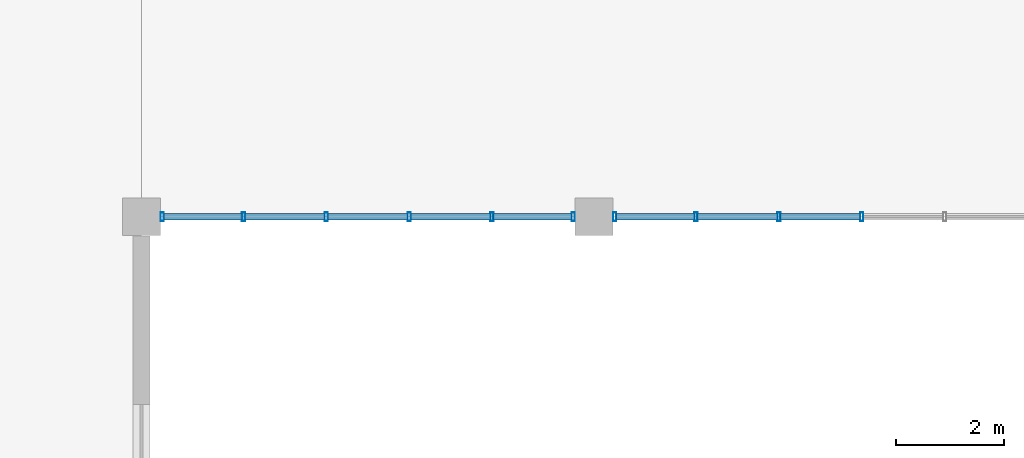
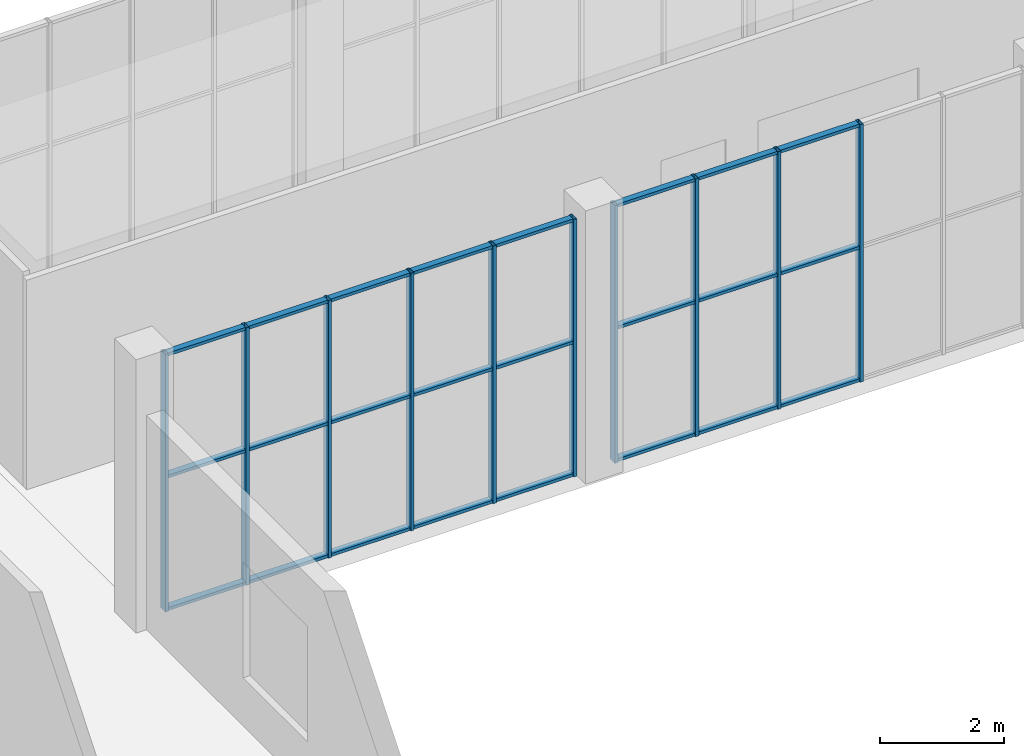
# One storey, part 37 of 91: 34 members, 2 elements without a shape of their own.
"""IFC4 building model written with IfcOpenShell, lengths in metres."""

from ifc_helpers import new_model, si_unit, direction, frame, origin, origin_2d, place, context, subcontext, project, spatial, hollow_rectangle, extrude, material, material_profile, profile_set, type_object, element, aggregate, save


model = new_model("IFC4")

# Units and contexts
model_context = context("Model", 3, precision=1e-05, world=origin(), true_north=direction((0.0, 1.0)))
body_context = subcontext(model_context, "Body", "Model", "MODEL_VIEW")
ifc_project = project(units=[si_unit("LENGTHUNIT", "METRE"), si_unit("AREAUNIT", "SQUARE_METRE"), si_unit("VOLUMEUNIT", "CUBIC_METRE"), si_unit("PLANEANGLEUNIT", "RADIAN"), si_unit("MASSUNIT", "GRAM", prefix="KILO")], contexts=[model_context])

# Site, building, storey
site_placement = place(None, origin())
site = spatial("IfcSite", under=ifc_project, at=site_placement, CompositionType="ELEMENT")
building_placement = place(site_placement, origin())
building = spatial("IfcBuilding", under=site, at=building_placement, Name="Khurvash Pelagic Aquarium", CompositionType="ELEMENT")
storey_placement = place(building_placement, origin())
storey = spatial("IfcBuildingStorey", under=building, at=storey_placement, Name="L00", CompositionType="ELEMENT", Elevation=0.0)

# Curtain wall, members
ifc_material_1 = material(Name="Anodised aluminium and low-E laminated glass", Category="aluminium")
curtain_wall_type = type_object("IfcCurtainWallType", Name="CW-02", PredefinedType="USERDEFINED", material=ifc_material_1)
curtain_wall_1_placement = place(storey_placement, origin())
curtain_wall_1 = element("IfcCurtainWall", 1, at=curtain_wall_1_placement, inside=storey, type_object=curtain_wall_type, Name="L00 Facade Unitised Curtain Wall CW-02 0080", ObjectType="UNITISED CURTAIN WALL", PredefinedType="USERDEFINED")
ifc_material_2 = material(Name="Extruded aluminium AW-6063-T6", Category="aluminium")
ifc_material_profile_1 = material_profile(ifc_material_2, hollow_rectangle(XDim=0.06005859375, YDim=0.159912109375, WallThickness=0.00390625, at=origin_2d()), Name="CWM60X160X4")
ifc_profile_set_1 = profile_set([ifc_material_profile_1], Name="Extruded aluminium AW-6063-T6")
member_type_1 = type_object("IfcMemberType", Name="CM-02", PredefinedType="MULLION", material=ifc_profile_set_1)
member_1_placement = place(storey_placement, frame((33.985107421875, 93.10009765625, 0.0), z_axis=(0.0, 0.0, 1.0), x_axis=(1.0, 0.0, 0.0)))
member_1 = element("IfcMember", 2, at=member_1_placement, type_object=member_type_1, Name="CW-02 mullion 1", PredefinedType="MULLION", context=body_context, shape_type="SweptSolid", body=[
    extrude(hollow_rectangle(XDim=0.06005859375, YDim=0.159912109375, WallThickness=0.00390625, at=origin_2d()), origin(), (0.0, 0.0, 1.0), 5.090087890625),
])
member_2_placement = place(storey_placement, frame((35.492919921875, 93.10009765625, 0.0), z_axis=(0.0, 0.0, 1.0), x_axis=(1.0, 0.0, 0.0)))
member_2 = element("IfcMember", 3, at=member_2_placement, type_object=member_type_1, Name="CW-02 mullion 2", PredefinedType="MULLION", context=body_context, shape_type="SweptSolid", body=[
    extrude(hollow_rectangle(XDim=0.06005859375, YDim=0.159912109375, WallThickness=0.00390625, at=origin_2d()), origin(), (0.0, 0.0, 1.0), 5.090087890625),
])
member_3_placement = place(storey_placement, frame((37.031005859375, 93.10009765625, 0.0), z_axis=(0.0, 0.0, 1.0), x_axis=(1.0, 0.0, 0.0)))
member_3 = element("IfcMember", 4, at=member_3_placement, type_object=member_type_1, Name="CW-02 mullion 3", PredefinedType="MULLION", context=body_context, shape_type="SweptSolid", body=[
    extrude(hollow_rectangle(XDim=0.06005859375, YDim=0.159912109375, WallThickness=0.00390625, at=origin_2d()), origin(), (0.0, 0.0, 1.0), 5.090087890625),
])
member_4_placement = place(storey_placement, frame((38.569091796875, 93.10009765625, 0.0), z_axis=(0.0, 0.0, 1.0), x_axis=(1.0, 0.0, 0.0)))
member_4 = element("IfcMember", 5, at=member_4_placement, type_object=member_type_1, Name="CW-02 mullion 4", PredefinedType="MULLION", context=body_context, shape_type="SweptSolid", body=[
    extrude(hollow_rectangle(XDim=0.06005859375, YDim=0.159912109375, WallThickness=0.00390625, at=origin_2d()), origin(), (0.0, 0.0, 1.0), 5.090087890625),
])
member_5_placement = place(storey_placement, frame((40.10693359375, 93.10009765625, 0.0), z_axis=(0.0, 0.0, 1.0), x_axis=(1.0, 0.0, 0.0)))
member_5 = element("IfcMember", 6, at=member_5_placement, type_object=member_type_1, Name="CW-02 mullion 5", PredefinedType="MULLION", context=body_context, shape_type="SweptSolid", body=[
    extrude(hollow_rectangle(XDim=0.06005859375, YDim=0.159912109375, WallThickness=0.00390625, at=origin_2d()), origin(), (0.0, 0.0, 1.0), 5.090087890625),
])
member_6_placement = place(storey_placement, frame((41.614990234375, 93.10009765625, 0.0), z_axis=(0.0, 0.0, 1.0), x_axis=(1.0, 0.0, 0.0)))
member_6 = element("IfcMember", 7, at=member_6_placement, type_object=member_type_1, Name="CW-02 mullion 6", PredefinedType="MULLION", context=body_context, shape_type="SweptSolid", body=[
    extrude(hollow_rectangle(XDim=0.06005859375, YDim=0.159912109375, WallThickness=0.00390625, at=origin_2d()), origin(), (0.0, 0.0, 1.0), 5.090087890625),
])

curtain_wall_2_placement = place(storey_placement, origin())
curtain_wall_2 = element("IfcCurtainWall", 8, at=curtain_wall_2_placement, inside=storey, type_object=curtain_wall_type, Name="L00 Facade Unitised Curtain Wall CW-02 0081", ObjectType="UNITISED CURTAIN WALL", PredefinedType="USERDEFINED")
member_7_placement = place(storey_placement, frame((42.385009765625, 93.10009765625, 0.0), z_axis=(0.0, 0.0, 1.0), x_axis=(1.0, 0.0, 0.0)))
member_7 = element("IfcMember", 9, at=member_7_placement, type_object=member_type_1, Name="CW-02 mullion 1", PredefinedType="MULLION", context=body_context, shape_type="SweptSolid", body=[
    extrude(hollow_rectangle(XDim=0.06005859375, YDim=0.159912109375, WallThickness=0.00390625, at=origin_2d()), origin(), (0.0, 0.0, 1.0), 5.090087890625),
])
member_8_placement = place(storey_placement, frame((43.89306640625, 93.10009765625, 0.0), z_axis=(0.0, 0.0, 1.0), x_axis=(1.0, 0.0, 0.0)))
member_8 = element("IfcMember", 10, at=member_8_placement, type_object=member_type_1, Name="CW-02 mullion 2", PredefinedType="MULLION", context=body_context, shape_type="SweptSolid", body=[
    extrude(hollow_rectangle(XDim=0.06005859375, YDim=0.159912109375, WallThickness=0.00390625, at=origin_2d()), origin(), (0.0, 0.0, 1.0), 5.090087890625),
])
member_9_placement = place(storey_placement, frame((45.430908203125, 93.10009765625, 0.0), z_axis=(0.0, 0.0, 1.0), x_axis=(1.0, 0.0, 0.0)))
member_9 = element("IfcMember", 11, at=member_9_placement, type_object=member_type_1, Name="CW-02 mullion 3", PredefinedType="MULLION", context=body_context, shape_type="SweptSolid", body=[
    extrude(hollow_rectangle(XDim=0.06005859375, YDim=0.159912109375, WallThickness=0.00390625, at=origin_2d()), origin(), (0.0, 0.0, 1.0), 5.090087890625),
])
member_10_placement = place(storey_placement, frame((46.968994140625, 93.10009765625, 0.0), z_axis=(0.0, 0.0, 1.0), x_axis=(1.0, 0.0, 0.0)))
member_10 = element("IfcMember", 12, at=member_10_placement, type_object=member_type_1, Name="CW-02 mullion 4", PredefinedType="MULLION", context=body_context, shape_type="SweptSolid", body=[
    extrude(hollow_rectangle(XDim=0.06005859375, YDim=0.159912109375, WallThickness=0.00390625, at=origin_2d()), origin(), (0.0, 0.0, 1.0), 5.090087890625),
])

# Member
ifc_material_profile_2 = material_profile(ifc_material_2, hollow_rectangle(XDim=0.1201171875, YDim=0.06005859375, WallThickness=0.00390625, at=origin_2d()), Name="CWT120X60X4")
ifc_profile_set_2 = profile_set([ifc_material_profile_2], Name="Extruded aluminium AW-6063-T6")
member_type_2 = type_object("IfcMemberType", Name="CT-02", PredefinedType="USERDEFINED", material=ifc_profile_set_2)
member_11_placement = place(storey_placement, frame((34.014892578125, 93.10009765625, 0.030029296875), z_axis=(1.0, 0.0, 0.0), x_axis=(0.0, 1.0, 0.0)))
member_11 = element("IfcMember", 13, at=member_11_placement, type_object=member_type_2, Name="CW-02 transom 1.1", ObjectType="TRANSOM", PredefinedType="USERDEFINED", context=body_context, shape_type="SweptSolid", body=[
    extrude(hollow_rectangle(XDim=0.1201171875, YDim=0.06005859375, WallThickness=0.00390625, at=origin_2d()), origin(), (0.0, 0.0, 1.0), 1.447998046875),
])

member_12_placement = place(storey_placement, frame((34.014892578125, 93.10009765625, 2.64697265625), z_axis=(1.0, 0.0, 0.0), x_axis=(0.0, 1.0, 0.0)))
member_12 = element("IfcMember", 14, at=member_12_placement, type_object=member_type_2, Name="CW-02 transom 1.2", ObjectType="TRANSOM", PredefinedType="USERDEFINED", context=body_context, shape_type="SweptSolid", body=[
    extrude(hollow_rectangle(XDim=0.1201171875, YDim=0.06005859375, WallThickness=0.00390625, at=origin_2d()), origin(), (0.0, 0.0, 1.0), 1.447998046875),
])

member_13_placement = place(storey_placement, frame((34.014892578125, 93.10009765625, 5.06005859375), z_axis=(1.0, 0.0, 0.0), x_axis=(0.0, 1.0, 0.0)))
member_13 = element("IfcMember", 15, at=member_13_placement, type_object=member_type_2, Name="CW-02 transom 1.3", ObjectType="TRANSOM", PredefinedType="USERDEFINED", context=body_context, shape_type="SweptSolid", body=[
    extrude(hollow_rectangle(XDim=0.1201171875, YDim=0.06005859375, WallThickness=0.00390625, at=origin_2d()), origin(), (0.0, 0.0, 1.0), 1.447998046875),
])

member_14_placement = place(storey_placement, frame((35.52294921875, 93.10009765625, 0.030029296875), z_axis=(1.0, 0.0, 0.0), x_axis=(0.0, 1.0, 0.0)))
member_14 = element("IfcMember", 16, at=member_14_placement, type_object=member_type_2, Name="CW-02 transom 2.1", ObjectType="TRANSOM", PredefinedType="USERDEFINED", context=body_context, shape_type="SweptSolid", body=[
    extrude(hollow_rectangle(XDim=0.1201171875, YDim=0.06005859375, WallThickness=0.00390625, at=origin_2d()), origin(), (0.0, 0.0, 1.0), 1.47802734375),
])

member_15_placement = place(storey_placement, frame((35.52294921875, 93.10009765625, 2.64697265625), z_axis=(1.0, 0.0, 0.0), x_axis=(0.0, 1.0, 0.0)))
member_15 = element("IfcMember", 17, at=member_15_placement, type_object=member_type_2, Name="CW-02 transom 2.2", ObjectType="TRANSOM", PredefinedType="USERDEFINED", context=body_context, shape_type="SweptSolid", body=[
    extrude(hollow_rectangle(XDim=0.1201171875, YDim=0.06005859375, WallThickness=0.00390625, at=origin_2d()), origin(), (0.0, 0.0, 1.0), 1.47802734375),
])

member_16_placement = place(storey_placement, frame((35.52294921875, 93.10009765625, 5.06005859375), z_axis=(1.0, 0.0, 0.0), x_axis=(0.0, 1.0, 0.0)))
member_16 = element("IfcMember", 18, at=member_16_placement, type_object=member_type_2, Name="CW-02 transom 2.3", ObjectType="TRANSOM", PredefinedType="USERDEFINED", context=body_context, shape_type="SweptSolid", body=[
    extrude(hollow_rectangle(XDim=0.1201171875, YDim=0.06005859375, WallThickness=0.00390625, at=origin_2d()), origin(), (0.0, 0.0, 1.0), 1.47802734375),
])

member_17_placement = place(storey_placement, frame((37.06103515625, 93.10009765625, 0.030029296875), z_axis=(1.0, 0.0, 0.0), x_axis=(0.0, 1.0, 0.0)))
member_17 = element("IfcMember", 19, at=member_17_placement, type_object=member_type_2, Name="CW-02 transom 3.1", ObjectType="TRANSOM", PredefinedType="USERDEFINED", context=body_context, shape_type="SweptSolid", body=[
    extrude(hollow_rectangle(XDim=0.1201171875, YDim=0.06005859375, WallThickness=0.00390625, at=origin_2d()), origin(), (0.0, 0.0, 1.0), 1.47802734375),
])

member_18_placement = place(storey_placement, frame((37.06103515625, 93.10009765625, 2.64697265625), z_axis=(1.0, 0.0, 0.0), x_axis=(0.0, 1.0, 0.0)))
member_18 = element("IfcMember", 20, at=member_18_placement, type_object=member_type_2, Name="CW-02 transom 3.2", ObjectType="TRANSOM", PredefinedType="USERDEFINED", context=body_context, shape_type="SweptSolid", body=[
    extrude(hollow_rectangle(XDim=0.1201171875, YDim=0.06005859375, WallThickness=0.00390625, at=origin_2d()), origin(), (0.0, 0.0, 1.0), 1.47802734375),
])

member_19_placement = place(storey_placement, frame((37.06103515625, 93.10009765625, 5.06005859375), z_axis=(1.0, 0.0, 0.0), x_axis=(0.0, 1.0, 0.0)))
member_19 = element("IfcMember", 21, at=member_19_placement, type_object=member_type_2, Name="CW-02 transom 3.3", ObjectType="TRANSOM", PredefinedType="USERDEFINED", context=body_context, shape_type="SweptSolid", body=[
    extrude(hollow_rectangle(XDim=0.1201171875, YDim=0.06005859375, WallThickness=0.00390625, at=origin_2d()), origin(), (0.0, 0.0, 1.0), 1.47802734375),
])

member_20_placement = place(storey_placement, frame((38.59912109375, 93.10009765625, 0.030029296875), z_axis=(1.0, 0.0, 0.0), x_axis=(0.0, 1.0, 0.0)))
member_20 = element("IfcMember", 22, at=member_20_placement, type_object=member_type_2, Name="CW-02 transom 4.1", ObjectType="TRANSOM", PredefinedType="USERDEFINED", context=body_context, shape_type="SweptSolid", body=[
    extrude(hollow_rectangle(XDim=0.1201171875, YDim=0.06005859375, WallThickness=0.00390625, at=origin_2d()), origin(), (0.0, 0.0, 1.0), 1.477783203125),
])

member_21_placement = place(storey_placement, frame((38.59912109375, 93.10009765625, 2.64697265625), z_axis=(1.0, 0.0, 0.0), x_axis=(0.0, 1.0, 0.0)))
member_21 = element("IfcMember", 23, at=member_21_placement, type_object=member_type_2, Name="CW-02 transom 4.2", ObjectType="TRANSOM", PredefinedType="USERDEFINED", context=body_context, shape_type="SweptSolid", body=[
    extrude(hollow_rectangle(XDim=0.1201171875, YDim=0.06005859375, WallThickness=0.00390625, at=origin_2d()), origin(), (0.0, 0.0, 1.0), 1.477783203125),
])

member_22_placement = place(storey_placement, frame((38.59912109375, 93.10009765625, 5.06005859375), z_axis=(1.0, 0.0, 0.0), x_axis=(0.0, 1.0, 0.0)))
member_22 = element("IfcMember", 24, at=member_22_placement, type_object=member_type_2, Name="CW-02 transom 4.3", ObjectType="TRANSOM", PredefinedType="USERDEFINED", context=body_context, shape_type="SweptSolid", body=[
    extrude(hollow_rectangle(XDim=0.1201171875, YDim=0.06005859375, WallThickness=0.00390625, at=origin_2d()), origin(), (0.0, 0.0, 1.0), 1.477783203125),
])

member_23_placement = place(storey_placement, frame((40.136962890625, 93.10009765625, 0.030029296875), z_axis=(1.0, 0.0, 0.0), x_axis=(0.0, 1.0, 0.0)))
member_23 = element("IfcMember", 25, at=member_23_placement, type_object=member_type_2, Name="CW-02 transom 5.1", ObjectType="TRANSOM", PredefinedType="USERDEFINED", context=body_context, shape_type="SweptSolid", body=[
    extrude(hollow_rectangle(XDim=0.1201171875, YDim=0.06005859375, WallThickness=0.00390625, at=origin_2d()), origin(), (0.0, 0.0, 1.0), 1.447998046875),
])

member_24_placement = place(storey_placement, frame((40.136962890625, 93.10009765625, 2.64697265625), z_axis=(1.0, 0.0, 0.0), x_axis=(0.0, 1.0, 0.0)))
member_24 = element("IfcMember", 26, at=member_24_placement, type_object=member_type_2, Name="CW-02 transom 5.2", ObjectType="TRANSOM", PredefinedType="USERDEFINED", context=body_context, shape_type="SweptSolid", body=[
    extrude(hollow_rectangle(XDim=0.1201171875, YDim=0.06005859375, WallThickness=0.00390625, at=origin_2d()), origin(), (0.0, 0.0, 1.0), 1.447998046875),
])

member_25_placement = place(storey_placement, frame((40.136962890625, 93.10009765625, 5.06005859375), z_axis=(1.0, 0.0, 0.0), x_axis=(0.0, 1.0, 0.0)))
member_25 = element("IfcMember", 27, at=member_25_placement, type_object=member_type_2, Name="CW-02 transom 5.3", ObjectType="TRANSOM", PredefinedType="USERDEFINED", context=body_context, shape_type="SweptSolid", body=[
    extrude(hollow_rectangle(XDim=0.1201171875, YDim=0.06005859375, WallThickness=0.00390625, at=origin_2d()), origin(), (0.0, 0.0, 1.0), 1.447998046875),
])

aggregate(curtain_wall_1, [member_1, member_2, member_3, member_4, member_5, member_6, member_11, member_12, member_13, member_14, member_15, member_16, member_17, member_18, member_19, member_20, member_21, member_22, member_23, member_24, member_25])

member_26_placement = place(storey_placement, frame((42.4150390625, 93.10009765625, 0.030029296875), z_axis=(1.0, 0.0, 0.0), x_axis=(0.0, 1.0, 0.0)))
member_26 = element("IfcMember", 28, at=member_26_placement, type_object=member_type_2, Name="CW-02 transom 1.1", ObjectType="TRANSOM", PredefinedType="USERDEFINED", context=body_context, shape_type="SweptSolid", body=[
    extrude(hollow_rectangle(XDim=0.1201171875, YDim=0.06005859375, WallThickness=0.00390625, at=origin_2d()), origin(), (0.0, 0.0, 1.0), 1.447998046875),
])

member_27_placement = place(storey_placement, frame((42.4150390625, 93.10009765625, 2.64697265625), z_axis=(1.0, 0.0, 0.0), x_axis=(0.0, 1.0, 0.0)))
member_27 = element("IfcMember", 29, at=member_27_placement, type_object=member_type_2, Name="CW-02 transom 1.2", ObjectType="TRANSOM", PredefinedType="USERDEFINED", context=body_context, shape_type="SweptSolid", body=[
    extrude(hollow_rectangle(XDim=0.1201171875, YDim=0.06005859375, WallThickness=0.00390625, at=origin_2d()), origin(), (0.0, 0.0, 1.0), 1.447998046875),
])

member_28_placement = place(storey_placement, frame((42.4150390625, 93.10009765625, 5.06005859375), z_axis=(1.0, 0.0, 0.0), x_axis=(0.0, 1.0, 0.0)))
member_28 = element("IfcMember", 30, at=member_28_placement, type_object=member_type_2, Name="CW-02 transom 1.3", ObjectType="TRANSOM", PredefinedType="USERDEFINED", context=body_context, shape_type="SweptSolid", body=[
    extrude(hollow_rectangle(XDim=0.1201171875, YDim=0.06005859375, WallThickness=0.00390625, at=origin_2d()), origin(), (0.0, 0.0, 1.0), 1.447998046875),
])

member_29_placement = place(storey_placement, frame((43.923095703125, 93.10009765625, 0.030029296875), z_axis=(1.0, 0.0, 0.0), x_axis=(0.0, 1.0, 0.0)))
member_29 = element("IfcMember", 31, at=member_29_placement, type_object=member_type_2, Name="CW-02 transom 2.1", ObjectType="TRANSOM", PredefinedType="USERDEFINED", context=body_context, shape_type="SweptSolid", body=[
    extrude(hollow_rectangle(XDim=0.1201171875, YDim=0.06005859375, WallThickness=0.00390625, at=origin_2d()), origin(), (0.0, 0.0, 1.0), 1.477783203125),
])

member_30_placement = place(storey_placement, frame((43.923095703125, 93.10009765625, 2.64697265625), z_axis=(1.0, 0.0, 0.0), x_axis=(0.0, 1.0, 0.0)))
member_30 = element("IfcMember", 32, at=member_30_placement, type_object=member_type_2, Name="CW-02 transom 2.2", ObjectType="TRANSOM", PredefinedType="USERDEFINED", context=body_context, shape_type="SweptSolid", body=[
    extrude(hollow_rectangle(XDim=0.1201171875, YDim=0.06005859375, WallThickness=0.00390625, at=origin_2d()), origin(), (0.0, 0.0, 1.0), 1.477783203125),
])

member_31_placement = place(storey_placement, frame((43.923095703125, 93.10009765625, 5.06005859375), z_axis=(1.0, 0.0, 0.0), x_axis=(0.0, 1.0, 0.0)))
member_31 = element("IfcMember", 33, at=member_31_placement, type_object=member_type_2, Name="CW-02 transom 2.3", ObjectType="TRANSOM", PredefinedType="USERDEFINED", context=body_context, shape_type="SweptSolid", body=[
    extrude(hollow_rectangle(XDim=0.1201171875, YDim=0.06005859375, WallThickness=0.00390625, at=origin_2d()), origin(), (0.0, 0.0, 1.0), 1.477783203125),
])

member_32_placement = place(storey_placement, frame((45.4609375, 93.10009765625, 0.030029296875), z_axis=(1.0, 0.0, 0.0), x_axis=(0.0, 1.0, 0.0)))
member_32 = element("IfcMember", 34, at=member_32_placement, type_object=member_type_2, Name="CW-02 transom 3.1", ObjectType="TRANSOM", PredefinedType="USERDEFINED", context=body_context, shape_type="SweptSolid", body=[
    extrude(hollow_rectangle(XDim=0.1201171875, YDim=0.06005859375, WallThickness=0.00390625, at=origin_2d()), origin(), (0.0, 0.0, 1.0), 1.47802734375),
])

member_33_placement = place(storey_placement, frame((45.4609375, 93.10009765625, 2.64697265625), z_axis=(1.0, 0.0, 0.0), x_axis=(0.0, 1.0, 0.0)))
member_33 = element("IfcMember", 35, at=member_33_placement, type_object=member_type_2, Name="CW-02 transom 3.2", ObjectType="TRANSOM", PredefinedType="USERDEFINED", context=body_context, shape_type="SweptSolid", body=[
    extrude(hollow_rectangle(XDim=0.1201171875, YDim=0.06005859375, WallThickness=0.00390625, at=origin_2d()), origin(), (0.0, 0.0, 1.0), 1.47802734375),
])

member_34_placement = place(storey_placement, frame((45.4609375, 93.10009765625, 5.06005859375), z_axis=(1.0, 0.0, 0.0), x_axis=(0.0, 1.0, 0.0)))
member_34 = element("IfcMember", 36, at=member_34_placement, type_object=member_type_2, Name="CW-02 transom 3.3", ObjectType="TRANSOM", PredefinedType="USERDEFINED", context=body_context, shape_type="SweptSolid", body=[
    extrude(hollow_rectangle(XDim=0.1201171875, YDim=0.06005859375, WallThickness=0.00390625, at=origin_2d()), origin(), (0.0, 0.0, 1.0), 1.47802734375),
])

aggregate(curtain_wall_2, [member_7, member_8, member_9, member_10, member_26, member_27, member_28, member_29, member_30, member_31, member_32, member_33, member_34])

save(model, "model.ifc")
